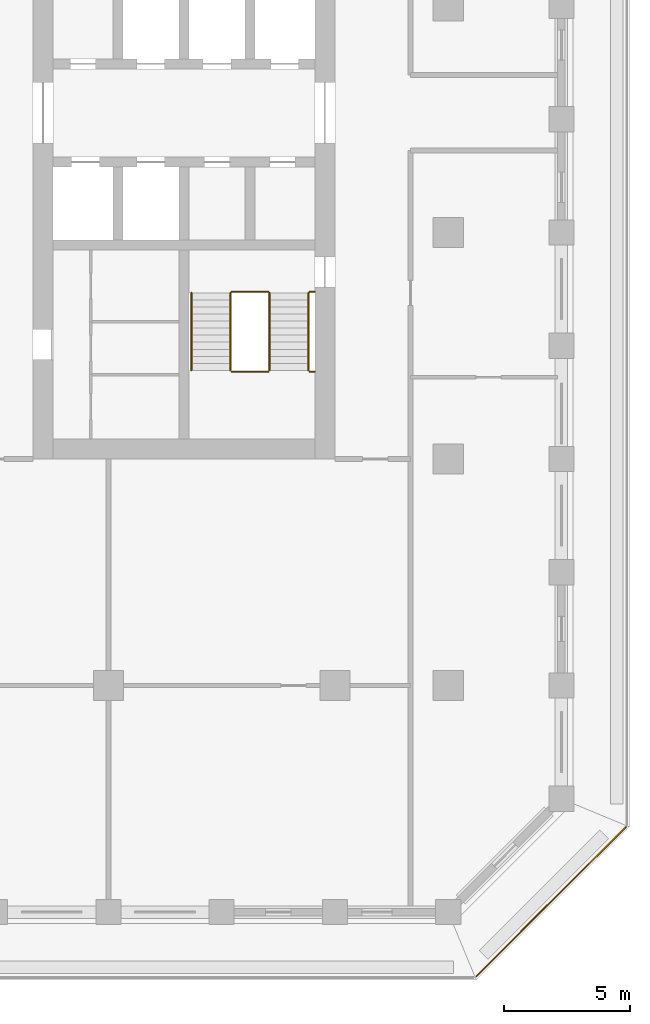
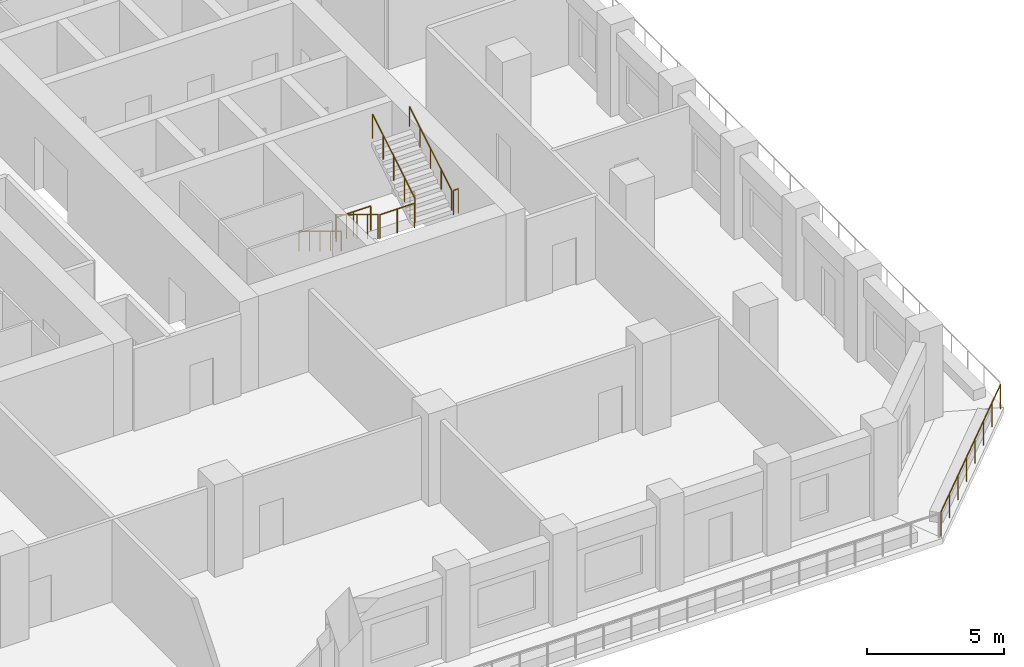
# One storey, part 11 of 16: 9 railings.
"""IFC4 building model written with IfcOpenShell, lengths in metres."""

from ifc_helpers import new_model, si_unit, direction, frame, origin, origin_2d, place, context, subcontext, project, spatial, circle, extrude, material, type_object, element, save


model = new_model("IFC4")

# Units and contexts
model_context = context("Model", 3, precision=1e-05, world=origin(), true_north=direction((0.0, 1.0)))
body_context = subcontext(model_context, "Body", "Model", "MODEL_VIEW")
ifc_project = project(units=[si_unit("LENGTHUNIT", "METRE"), si_unit("AREAUNIT", "SQUARE_METRE"), si_unit("VOLUMEUNIT", "CUBIC_METRE"), si_unit("PLANEANGLEUNIT", "RADIAN"), si_unit("MASSUNIT", "GRAM", prefix="KILO")], contexts=[model_context])

# Site, building, storey
site_placement = place(None, origin())
site = spatial("IfcSite", under=ifc_project, at=site_placement, CompositionType="ELEMENT")
building_placement = place(site_placement, origin())
building = spatial("IfcBuilding", under=site, at=building_placement, Name="Corbel Stack Research Tower", CompositionType="ELEMENT")
storey_placement = place(building_placement, frame((0.0, 0.0, 169.10009765625)))
storey = spatial("IfcBuildingStorey", under=building, at=storey_placement, Name="L38", CompositionType="ELEMENT", Elevation=169.10009765625)

# Railings
ifc_material_1 = material(Name="Steel S355", Category="steel")
railing_type_1 = type_object("IfcRailingType", Name="Stair guard 1100", PredefinedType="GUARDRAIL", material=ifc_material_1)
railing_1_placement = place(storey_placement, frame((13.85009765625, -2.39990234375, 0.170654296875)))
element("IfcRailing", 1, at=railing_1_placement, inside=storey, type_object=railing_type_1, Name="L38 ST-E1 stair guard 1", PredefinedType="GUARDRAIL", context=body_context, shape_type="SweptSolid", body=[
    extrude(circle(Radius=0.02392578125, at=origin_2d()), frame((0.0, 0.0, 1.076171875), z_axis=(0.0, -0.853666305674, 0.52082035152), x_axis=(1.0, 0.0, 0.0)), (0.0, 0.0, 1.0), 3.608154296875),
    extrude(circle(Radius=0.02099609375, at=origin_2d()), origin(), (0.0, 0.0, 1.0), 1.052001953125),
    extrude(circle(Radius=0.02099609375, at=origin_2d()), frame((0.0, -0.77001953125, 0.4697265625)), (0.0, 0.0, 1.0), 1.052001953125),
    extrude(circle(Radius=0.02099609375, at=origin_2d()), frame((0.0, -1.5400390625, 0.939453125)), (0.0, 0.0, 1.0), 1.052001953125),
    extrude(circle(Radius=0.02099609375, at=origin_2d()), frame((0.0, -2.31005859375, 1.409423828125)), (0.0, 0.0, 1.0), 1.052001953125),
    extrude(circle(Radius=0.02099609375, at=origin_2d()), frame((0.0, -3.080078125, 1.879150390625)), (0.0, 0.0, 1.0), 1.052001953125),
])
railing_2_placement = place(storey_placement, frame((13.89990234375, -5.530029296875, 2.0498046875)))
element("IfcRailing", 2, at=railing_2_placement, inside=storey, type_object=railing_type_1, Name="L38 ST-E1 stair guard 2", PredefinedType="GUARDRAIL", context=body_context, shape_type="SweptSolid", body=[
    extrude(circle(Radius=0.02392578125, at=origin_2d()), frame((0.0, 0.0, 1.076171875), z_axis=(1.0, 0.0, 0.0), x_axis=(0.0, 1.0, 0.0)), (0.0, 0.0, 1.0), 1.4501953125),
    extrude(circle(Radius=0.02099609375, at=origin_2d()), origin(), (0.0, 0.0, 1.0), 1.052001953125),
    extrude(circle(Radius=0.02099609375, at=origin_2d()), frame((0.72509765625, 0.0, 0.0)), (0.0, 0.0, 1.0), 1.052001953125),
    extrude(circle(Radius=0.02099609375, at=origin_2d()), frame((1.4501953125, 0.0, 0.0)), (0.0, 0.0, 1.0), 1.052001953125),
])
railing_3_placement = place(storey_placement, frame((17.0, -5.530029296875, 2.0498046875)))
element("IfcRailing", 3, at=railing_3_placement, inside=storey, type_object=railing_type_1, Name="L38 ST-E1 stair guard 3", PredefinedType="GUARDRAIL", context=body_context, shape_type="SweptSolid", body=[
    extrude(circle(Radius=0.02392578125, at=origin_2d()), frame((0.0, 0.0, 1.076171875), z_axis=(1.0, 0.0, 0.0), x_axis=(0.0, 1.0, 0.0)), (0.0, 0.0, 1.0), 0.199951171875),
    extrude(circle(Radius=0.02099609375, at=origin_2d()), origin(), (0.0, 0.0, 1.0), 1.052001953125),
    extrude(circle(Radius=0.02099609375, at=origin_2d()), frame((0.199951171875, 0.0, 0.0)), (0.0, 0.0, 1.0), 1.052001953125),
])
railing_4_placement = place(storey_placement, frame((15.39990234375, -5.47998046875, 2.220703125)))
element("IfcRailing", 4, at=railing_4_placement, inside=storey, type_object=railing_type_1, Name="L38 ST-E1 stair guard 4", PredefinedType="GUARDRAIL", context=body_context, shape_type="SweptSolid", body=[
    extrude(circle(Radius=0.02392578125, at=origin_2d()), frame((0.0, 0.0, 1.076171875), z_axis=(0.0, 0.853666305674, 0.52082035152), x_axis=(-1.0, 0.0, 0.0)), (0.0, 0.0, 1.0), 3.608154296875),
    extrude(circle(Radius=0.02099609375, at=origin_2d()), origin(), (0.0, 0.0, 1.0), 1.052001953125),
    extrude(circle(Radius=0.02099609375, at=origin_2d()), frame((0.0, 0.77001953125, 0.4697265625)), (0.0, 0.0, 1.0), 1.052001953125),
    extrude(circle(Radius=0.02099609375, at=origin_2d()), frame((0.0, 1.5400390625, 0.939453125)), (0.0, 0.0, 1.0), 1.052001953125),
    extrude(circle(Radius=0.02099609375, at=origin_2d()), frame((0.0, 2.31005859375, 1.409423828125)), (0.0, 0.0, 1.0), 1.052001953125),
    extrude(circle(Radius=0.02099609375, at=origin_2d()), frame((0.0, 3.080078125, 1.879150390625)), (0.0, 0.0, 1.0), 1.052001953125),
])
railing_5_placement = place(storey_placement, frame((13.89990234375, -2.35009765625, 0.0)))
element("IfcRailing", 5, at=railing_5_placement, inside=storey, type_object=railing_type_1, Name="L38 ST-E1 stair guard 5", PredefinedType="GUARDRAIL", context=body_context, shape_type="SweptSolid", body=[
    extrude(circle(Radius=0.02392578125, at=origin_2d()), frame((0.0, 0.0, 1.076171875), z_axis=(1.0, 0.0, 0.0), x_axis=(0.0, 1.0, 0.0)), (0.0, 0.0, 1.0), 1.4501953125),
    extrude(circle(Radius=0.02099609375, at=origin_2d()), origin(), (0.0, 0.0, 1.0), 1.052001953125),
    extrude(circle(Radius=0.02099609375, at=origin_2d()), frame((0.72509765625, 0.0, 0.0)), (0.0, 0.0, 1.0), 1.052001953125),
    extrude(circle(Radius=0.02099609375, at=origin_2d()), frame((1.4501953125, 0.0, 0.0)), (0.0, 0.0, 1.0), 1.052001953125),
])
railing_6_placement = place(storey_placement, frame((17.0, -2.35009765625, 0.0)))
element("IfcRailing", 6, at=railing_6_placement, inside=storey, type_object=railing_type_1, Name="L38 ST-E1 stair guard 6", PredefinedType="GUARDRAIL", context=body_context, shape_type="SweptSolid", body=[
    extrude(circle(Radius=0.02392578125, at=origin_2d()), frame((0.0, 0.0, 1.076171875), z_axis=(1.0, 0.0, 0.0), x_axis=(0.0, 1.0, 0.0)), (0.0, 0.0, 1.0), 0.199951171875),
    extrude(circle(Radius=0.02099609375, at=origin_2d()), origin(), (0.0, 0.0, 1.0), 1.052001953125),
    extrude(circle(Radius=0.02099609375, at=origin_2d()), frame((0.199951171875, 0.0, 0.0)), (0.0, 0.0, 1.0), 1.052001953125),
])
ifc_material_2 = material(Name="Steel S355", Category="steel")
railing_type_2 = type_object("IfcRailingType", Name="Stair handrail 900", PredefinedType="HANDRAIL", material=ifc_material_2)
railing_7_placement = place(storey_placement, frame((12.300048828125, -2.39990234375, 0.170654296875)))
element("IfcRailing", 7, at=railing_7_placement, inside=storey, type_object=railing_type_2, Name="L38 ST-E1 stair handrail 1", PredefinedType="HANDRAIL", context=body_context, shape_type="SweptSolid", body=[
    extrude(circle(Radius=0.02392578125, at=origin_2d()), frame((0.0, 0.0, 0.8759765625), z_axis=(0.0, -0.853666305674, 0.52082035152), x_axis=(1.0, 0.0, 0.0)), (0.0, 0.0, 1.0), 3.608154296875),
    extrude(circle(Radius=0.02099609375, at=origin_2d()), origin(), (0.0, 0.0, 1.0), 0.851806640625),
    extrude(circle(Radius=0.02099609375, at=origin_2d()), frame((0.0, -0.77001953125, 0.4697265625)), (0.0, 0.0, 1.0), 0.851806640625),
    extrude(circle(Radius=0.02099609375, at=origin_2d()), frame((0.0, -1.5400390625, 0.939453125)), (0.0, 0.0, 1.0), 0.851806640625),
    extrude(circle(Radius=0.02099609375, at=origin_2d()), frame((0.0, -2.31005859375, 1.409423828125)), (0.0, 0.0, 1.0), 0.851806640625),
    extrude(circle(Radius=0.02099609375, at=origin_2d()), frame((0.0, -3.080078125, 1.879150390625)), (0.0, 0.0, 1.0), 0.851806640625),
])
railing_8_placement = place(storey_placement, frame((16.949951171875, -5.47998046875, 2.220703125)))
element("IfcRailing", 8, at=railing_8_placement, inside=storey, type_object=railing_type_2, Name="L38 ST-E1 stair handrail 2", PredefinedType="HANDRAIL", context=body_context, shape_type="SweptSolid", body=[
    extrude(circle(Radius=0.02392578125, at=origin_2d()), frame((0.0, 0.0, 0.8759765625), z_axis=(0.0, 0.853666305674, 0.52082035152), x_axis=(-1.0, 0.0, 0.0)), (0.0, 0.0, 1.0), 3.608154296875),
    extrude(circle(Radius=0.02099609375, at=origin_2d()), origin(), (0.0, 0.0, 1.0), 0.851806640625),
    extrude(circle(Radius=0.02099609375, at=origin_2d()), frame((0.0, 0.77001953125, 0.4697265625)), (0.0, 0.0, 1.0), 0.851806640625),
    extrude(circle(Radius=0.02099609375, at=origin_2d()), frame((0.0, 1.5400390625, 0.939453125)), (0.0, 0.0, 1.0), 0.851806640625),
    extrude(circle(Radius=0.02099609375, at=origin_2d()), frame((0.0, 2.31005859375, 1.409423828125)), (0.0, 0.0, 1.0), 0.851806640625),
    extrude(circle(Radius=0.02099609375, at=origin_2d()), frame((0.0, 3.080078125, 1.879150390625)), (0.0, 0.0, 1.0), 0.851806640625),
])
ifc_material_3 = material(Name="Powder-coated steel guard", Category="steel")
railing_type_3 = type_object("IfcRailingType", Name="Steel and glass guard 1100", PredefinedType="GUARDRAIL", material=ifc_material_3)
railing_9_placement = place(storey_placement, frame((23.627685546875, -29.54931640625, 0.0)))
element("IfcRailing", 9, at=railing_9_placement, inside=storey, type_object=railing_type_3, Name="Loggia guard L38 SE", PredefinedType="GUARDRAIL", context=body_context, shape_type="SweptSolid", body=[
    extrude(circle(Radius=0.02392578125, at=origin_2d()), frame((0.0, 0.0, 1.076171875), z_axis=(0.707106781187, 0.707106781187, 0.0), x_axis=(-0.707106781187, 0.707106781187, 0.0)), (0.0, 0.0, 1.0), 8.37451171875),
    extrude(circle(Radius=0.02099609375, at=origin_2d()), origin(), (0.0, 0.0, 1.0), 1.052001953125),
    extrude(circle(Radius=0.02099609375, at=origin_2d()), frame((0.845947265625, 0.845947265625, 0.0)), (0.0, 0.0, 1.0), 1.052001953125),
    extrude(circle(Radius=0.02099609375, at=origin_2d()), frame((1.69189453125, 1.69189453125, 0.0)), (0.0, 0.0, 1.0), 1.052001953125),
    extrude(circle(Radius=0.02099609375, at=origin_2d()), frame((2.537841796875, 2.537841796875, 0.0)), (0.0, 0.0, 1.0), 1.052001953125),
    extrude(circle(Radius=0.02099609375, at=origin_2d()), frame((3.3837890625, 3.3837890625, 0.0)), (0.0, 0.0, 1.0), 1.052001953125),
    extrude(circle(Radius=0.02099609375, at=origin_2d()), frame((4.229736328125, 4.229736328125, 0.0)), (0.0, 0.0, 1.0), 1.052001953125),
    extrude(circle(Radius=0.02099609375, at=origin_2d()), frame((5.07568359375, 5.07568359375, 0.0)), (0.0, 0.0, 1.0), 1.052001953125),
    extrude(circle(Radius=0.02099609375, at=origin_2d()), frame((5.921630859375, 5.921630859375, 0.0)), (0.0, 0.0, 1.0), 1.052001953125),
])

save(model, "model.ifc")
